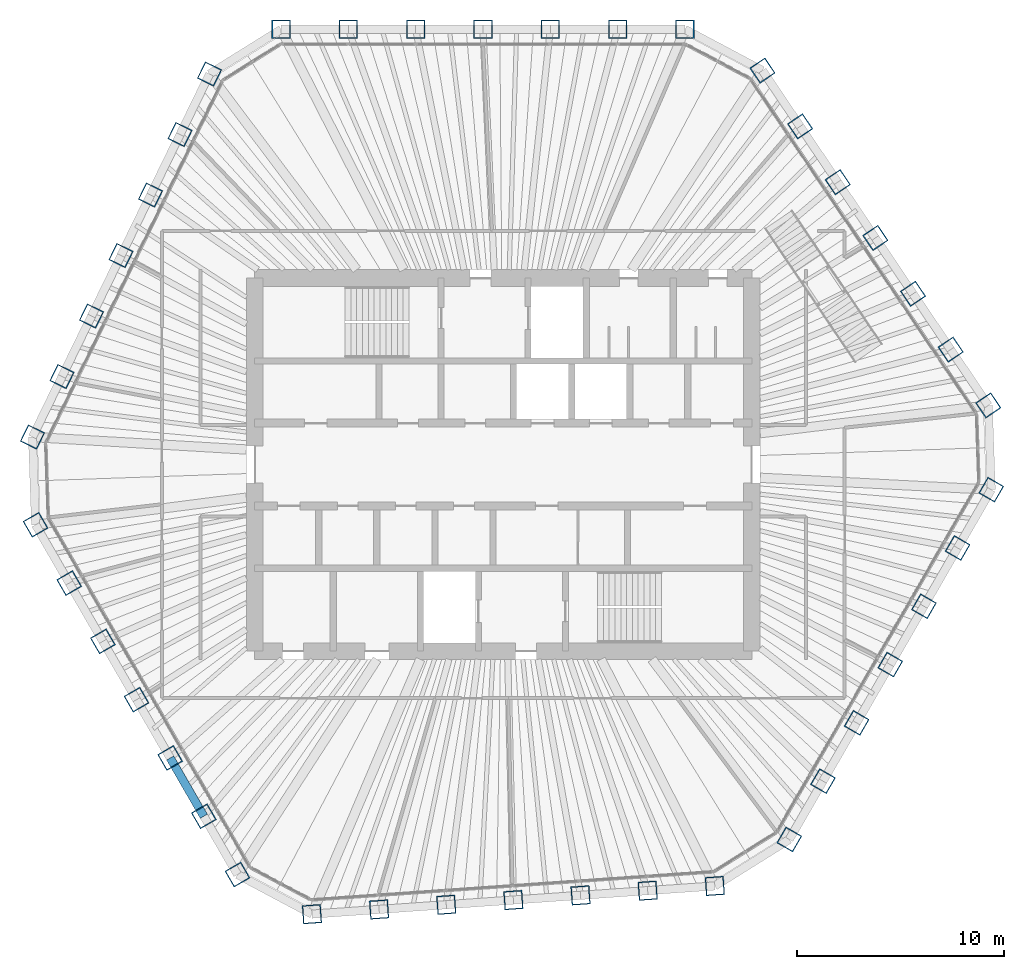
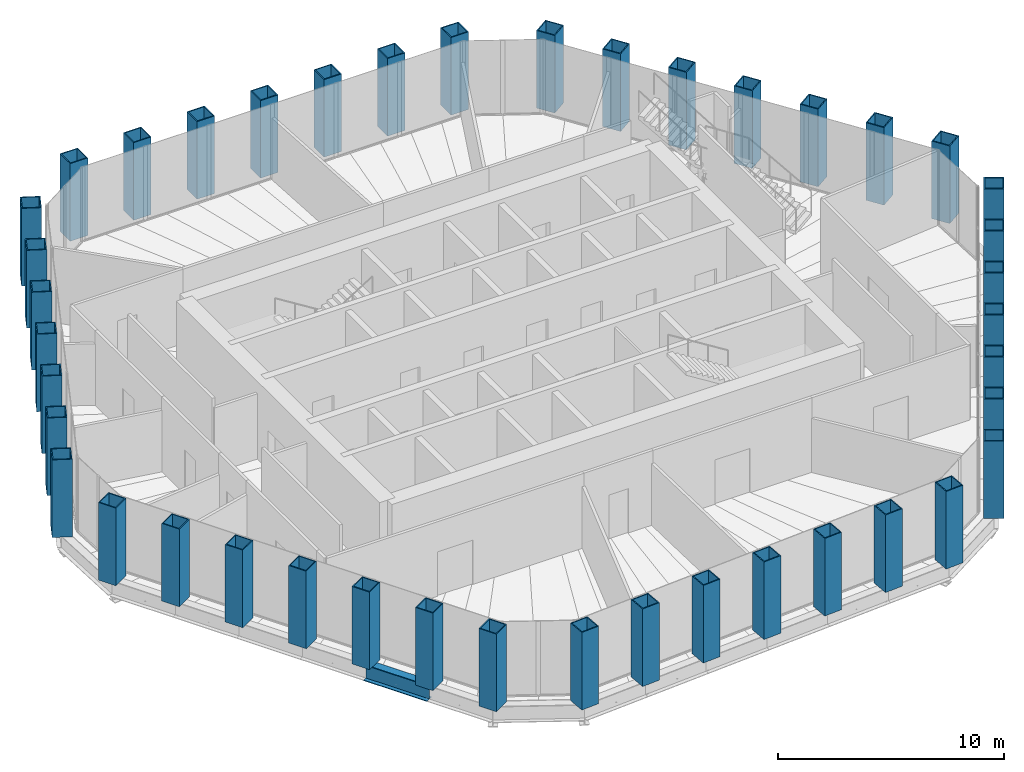
# One storey, part 1 of 14: 42 columns, 1 beam.
"""IFC4 building model written with IfcOpenShell, lengths in metres."""

from ifc_helpers import new_model, si_unit, direction, frame, origin, origin_2d, place, context, subcontext, project, spatial, hollow_rectangle, i_section, extrude, material, material_profile, profile_set, type_object, element, save


model = new_model("IFC4")

# Units and contexts
model_context = context("Model", 3, precision=1e-05, world=origin(), true_north=direction((0.0, 1.0)))
body_context = subcontext(model_context, "Body", "Model", "MODEL_VIEW")
ifc_project = project(units=[si_unit("LENGTHUNIT", "METRE"), si_unit("AREAUNIT", "SQUARE_METRE"), si_unit("VOLUMEUNIT", "CUBIC_METRE"), si_unit("PLANEANGLEUNIT", "RADIAN"), si_unit("MASSUNIT", "GRAM", prefix="KILO")], contexts=[model_context])

# Site, building, storey
site_placement = place(None, origin())
site = spatial("IfcSite", under=ifc_project, at=site_placement, CompositionType="ELEMENT")
building_placement = place(site_placement, origin())
building = spatial("IfcBuilding", under=site, at=building_placement, Name="Qingtian Harvest Tower", CompositionType="ELEMENT")
storey_placement = place(building_placement, frame((0.0, 0.0, 325.0)))
storey = spatial("IfcBuildingStorey", under=building, at=storey_placement, Name="L72", CompositionType="ELEMENT", Elevation=325.0)

# Columns
ifc_material_1 = material(Name="Steel SM570MC", Category="steel")
ifc_material_profile_1 = material_profile(ifc_material_1, hollow_rectangle(XDim=0.89990234375, YDim=0.89990234375, WallThickness=0.050048828125, at=origin_2d()), Name="BOX900x900x50")
ifc_profile_set_1 = profile_set([ifc_material_profile_1], Name="Steel SM570MC")
column_type = type_object("IfcColumnType", Name="Tube column TC8 BOX900x900x50", PredefinedType="COLUMN", material=ifc_profile_set_1)
for number, where, z_axis, x_axis, name in (
    (1, (-10.72216796875, 21.0, 0.0), (0.0, 0.0, 1.0), (-1.0, 0.0, 0.0), "Tube column TC8 N0"),
    (2, (-7.47412109375, 21.0, 0.0), (0.0, 0.0, 1.0), (-1.0, 0.0, 0.0), "Tube column TC8 N1"),
    (3, (-4.226318359375, 21.0, 0.0), (0.0, 0.0, 1.0), (-1.0, 0.0, 0.0), "Tube column TC8 N2"),
    (4, (-0.978271484375, 21.0, 0.0), (0.0, 0.0, 1.0), (-1.0, 0.0, 0.0), "Tube column TC8 N3"),
    (5, (2.269775390625, 21.0, 0.0), (0.0, 0.0, 1.0), (-1.0, 0.0, 0.0), "Tube column TC8 N4"),
    (6, (5.517822265625, 21.0, 0.0), (0.0, 0.0, 1.0), (-1.0, 0.0, 0.0), "Tube column TC8 N5"),
    (7, (8.765869140625, 21.0, 0.0), (0.0, 0.0, 1.0), (-1.0, 0.0, 0.0), "Tube column TC8 N6"),
    (8, (12.508056640625, 19.01025390625, 0.0), (0.0, 0.0, 1.0), (-0.559192903471, 0.829037572555, 0.0), "Tube column TC8 NE0"),
    (9, (14.32421875, 16.317626953125, 0.0), (0.0, 0.0, 1.0), (-0.559192903471, 0.829037572555, 0.0), "Tube column TC8 NE1"),
    (10, (16.140625, 13.624755859375, 0.0), (0.0, 0.0, 1.0), (-0.559192903471, 0.829037572555, 0.0), "Tube column TC8 NE2"),
    (11, (17.956787109375, 10.93212890625, 0.0), (0.0, 0.0, 1.0), (-0.559192903471, 0.829037572555, 0.0), "Tube column TC8 NE3"),
    (12, (19.77294921875, 8.2392578125, 0.0), (0.0, 0.0, 1.0), (-0.559192903471, 0.829037572555, 0.0), "Tube column TC8 NE4"),
    (13, (21.58935546875, 5.546630859375, 0.0), (0.0, 0.0, 1.0), (-0.559192903471, 0.829037572555, 0.0), "Tube column TC8 NE5"),
    (14, (23.405517578125, 2.85400390625, 0.0), (0.0, 0.0, 1.0), (-0.559192903471, 0.829037572555, 0.0), "Tube column TC8 NE6"),
    (15, (23.547607421875, -1.21435546875, 0.0), (0.0, 0.0, 1.0), (0.5, 0.866025403784, 0.0), "Tube column TC8 SE0"),
    (16, (21.923583984375, -4.027099609375, 0.0), (0.0, 0.0, 1.0), (0.5, 0.866025403784, 0.0), "Tube column TC8 SE1"),
    (17, (20.299560546875, -6.840087890625, 0.0), (0.0, 0.0, 1.0), (0.5, 0.866025403784, 0.0), "Tube column TC8 SE2"),
    (18, (18.675537109375, -9.65283203125, 0.0), (0.0, 0.0, 1.0), (0.5, 0.866025403784, 0.0), "Tube column TC8 SE3"),
    (19, (17.051513671875, -12.4658203125, 0.0), (0.0, 0.0, 1.0), (0.5, 0.866025403784, 0.0), "Tube column TC8 SE4"),
    (20, (15.427490234375, -15.278564453125, 0.0), (0.0, 0.0, 1.0), (0.5, 0.866025403784, 0.0), "Tube column TC8 SE5"),
    (21, (13.803466796875, -18.091552734375, 0.0), (0.0, 0.0, 1.0), (0.5, 0.866025403784, 0.0), "Tube column TC8 SE6"),
    (22, (10.20947265625, -20.33740234375, 0.0), (0.0, 0.0, 1.0), (0.99756405026, 0.069756473744, 0.0), "Tube column TC8 S0"),
    (23, (6.96923828125, -20.56396484375, 0.0), (0.0, 0.0, 1.0), (0.99756405026, 0.069756473744, 0.0), "Tube column TC8 S1"),
    (24, (3.729248046875, -20.79052734375, 0.0), (0.0, 0.0, 1.0), (0.99756405026, 0.069756473744, 0.0), "Tube column TC8 S2"),
    (25, (0.489013671875, -21.01708984375, 0.0), (0.0, 0.0, 1.0), (0.99756405026, 0.069756473744, 0.0), "Tube column TC8 S3"),
    (26, (-2.7509765625, -21.24365234375, 0.0), (0.0, 0.0, 1.0), (0.99756405026, 0.069756473744, 0.0), "Tube column TC8 S4"),
    (27, (-5.9912109375, -21.47021484375, 0.0), (0.0, 0.0, 1.0), (0.99756405026, 0.069756473744, 0.0), "Tube column TC8 S5"),
    (28, (-9.231201171875, -21.69677734375, 0.0), (0.0, 0.0, 1.0), (0.99756405026, 0.069756473744, 0.0), "Tube column TC8 S6"),
    (29, (-12.825439453125, -19.78564453125, 0.0), (0.0, 0.0, 1.0), (0.5, -0.866025403784, 0.0), "Tube column TC8 SW0"),
    (30, (-14.449462890625, -16.972900390625, 0.0), (0.0, 0.0, 1.0), (0.5, -0.866025403784, 0.0), "Tube column TC8 SW1"),
    (31, (-16.073486328125, -14.159912109375, 0.0), (0.0, 0.0, 1.0), (0.5, -0.866025403784, 0.0), "Tube column TC8 SW2"),
    (32, (-17.697509765625, -11.34716796875, 0.0), (0.0, 0.0, 1.0), (0.5, -0.866025403784, 0.0), "Tube column TC8 SW3"),
    (33, (-19.321533203125, -8.5341796875, 0.0), (0.0, 0.0, 1.0), (0.5, -0.866025403784, 0.0), "Tube column TC8 SW4"),
    (34, (-20.945556640625, -5.721435546875, 0.0), (0.0, 0.0, 1.0), (0.5, -0.866025403784, 0.0), "Tube column TC8 SW5"),
    (35, (-22.569580078125, -2.908447265625, 0.0), (0.0, 0.0, 1.0), (0.5, -0.866025403784, 0.0), "Tube column TC8 SW6"),
    (36, (-22.71728515625, 1.3271484375, 0.0), (0.0, 0.0, 1.0), (-0.438371146789, -0.898794046299, 0.0), "Tube column TC8 NW0"),
    (37, (-21.29345703125, 4.246337890625, 0.0), (0.0, 0.0, 1.0), (-0.438371146789, -0.898794046299, 0.0), "Tube column TC8 NW1"),
    (38, (-19.86962890625, 7.165771484375, 0.0), (0.0, 0.0, 1.0), (-0.438371146789, -0.898794046299, 0.0), "Tube column TC8 NW2"),
    (39, (-18.44580078125, 10.0849609375, 0.0), (0.0, 0.0, 1.0), (-0.438371146789, -0.898794046299, 0.0), "Tube column TC8 NW3"),
    (40, (-17.02197265625, 13.00439453125, 0.0), (0.0, 0.0, 1.0), (-0.438371146789, -0.898794046299, 0.0), "Tube column TC8 NW4"),
    (41, (-15.59814453125, 15.923583984375, 0.0), (0.0, 0.0, 1.0), (-0.438371146789, -0.898794046299, 0.0), "Tube column TC8 NW5"),
    (42, (-14.17431640625, 18.8427734375, 0.0), (0.0, 0.0, 1.0), (-0.438371146789, -0.898794046299, 0.0), "Tube column TC8 NW6"),
):
    element("IfcColumn", number, at=place(storey_placement, frame(where, z_axis=z_axis, x_axis=x_axis)), inside=storey, type_object=column_type, Name=name, PredefinedType="COLUMN", context=body_context, shape_type="SweptSolid", body=[
        extrude(hollow_rectangle(XDim=0.89990234375, YDim=0.89990234375, WallThickness=0.050048828125, at=origin_2d()), origin(), (0.0, 0.0, 1.0), 4.199951171875),
    ])

# Beam
ifc_material_2 = material(Name="Steel SN490B", Category="steel")
ifc_material_profile_2 = material_profile(ifc_material_2, i_section(OverallWidth=0.39990234375, OverallDepth=0.89990234375, WebThickness=0.01904296875, FlangeThickness=0.035888671875, at=origin_2d()), Name="H900x400x19x36")
ifc_profile_set_2 = profile_set([ifc_material_profile_2], Name="Steel SN490B")
beam_type = type_object("IfcBeamType", Name="Spandrel beam SB4 H900x400x19x36", PredefinedType="SPANDREL", material=ifc_profile_set_2)
beam_placement = place(storey_placement, frame((-14.449462890625, -16.972900390625, -0.449951171875), z_axis=(-0.499987045439, 0.866032882975, 0.0), x_axis=(-0.866032882975, -0.499987045439, 0.0)))
element("IfcBeam", 43, at=beam_placement, inside=storey, type_object=beam_type, Name="Spandrel SB4 SW1", PredefinedType="SPANDREL", context=body_context, shape_type="SweptSolid", body=[
    extrude(i_section(OverallWidth=0.39990234375, OverallDepth=0.89990234375, WebThickness=0.01904296875, FlangeThickness=0.035888671875, at=origin_2d()), origin(), (0.0, 0.0, 1.0), 3.248046875),
])

save(model, "model.ifc")
